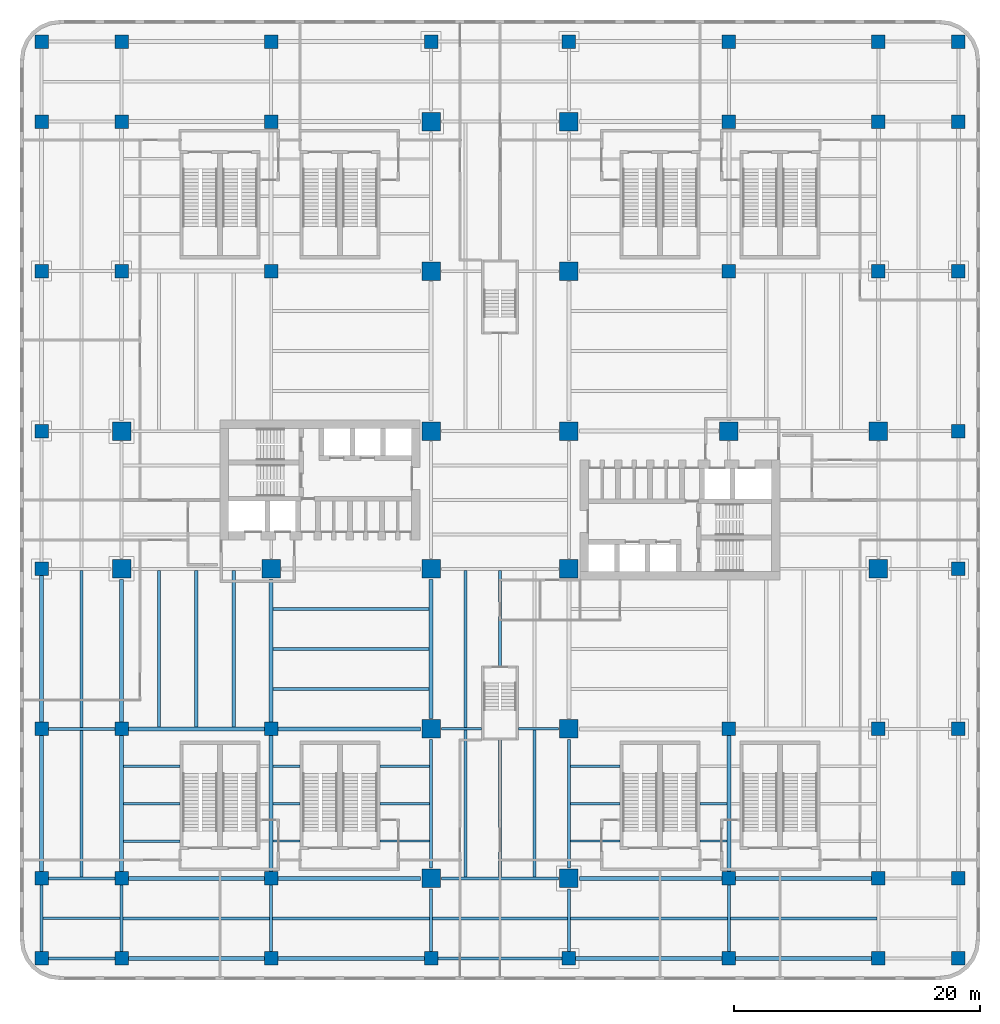
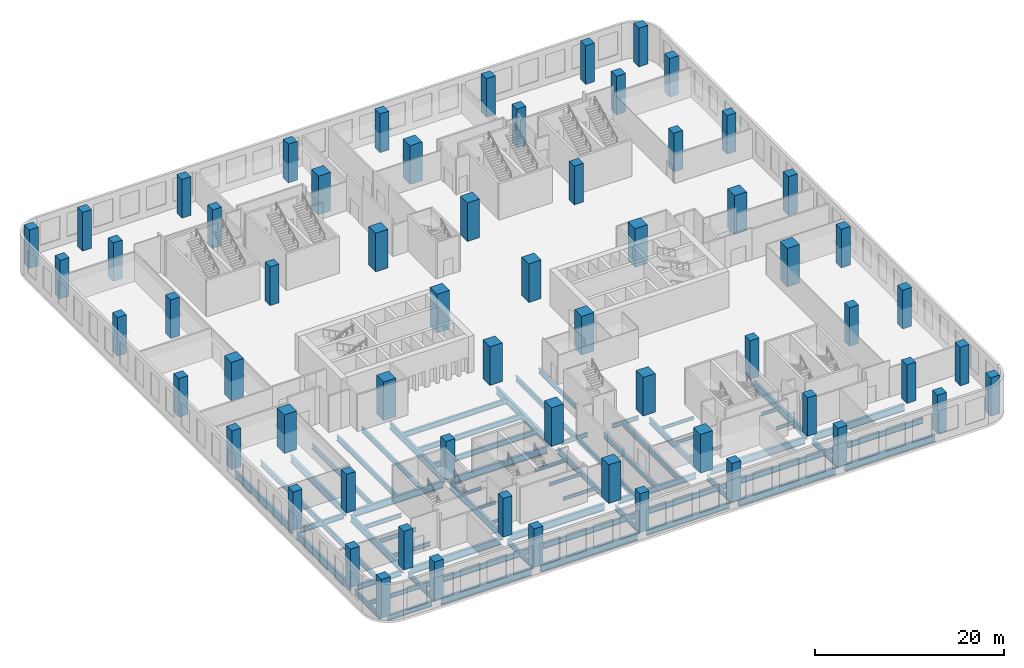
# One storey, part 1 of 17: 66 beams, 62 columns.
"""IFC4 building model written with IfcOpenShell, lengths in metres."""

from ifc_helpers import new_model, si_unit, direction, frame, origin, origin_2d, place, context, subcontext, project, spatial, rectangle, i_section, extrude, source, transform, mapped, material, material_profile, profile_set, type_object, element, save


model = new_model("IFC4")

# Units and contexts
model_context = context("Model", 3, precision=1e-05, world=origin(), true_north=direction((0.0, 1.0)))
body_context = subcontext(model_context, "Body", "Model", "MODEL_VIEW")
ifc_project = project(units=[si_unit("LENGTHUNIT", "METRE"), si_unit("AREAUNIT", "SQUARE_METRE"), si_unit("VOLUMEUNIT", "CUBIC_METRE"), si_unit("PLANEANGLEUNIT", "RADIAN"), si_unit("MASSUNIT", "GRAM", prefix="KILO")], contexts=[model_context])

# Site, building, storey
site_placement = place(None, origin())
site = spatial("IfcSite", under=ifc_project, at=site_placement, CompositionType="ELEMENT")
building_placement = place(site_placement, origin())
building = spatial("IfcBuilding", under=site, at=building_placement, Name="Trellis Farm Tower", CompositionType="ELEMENT")
storey_placement = place(building_placement, frame((0.0, 0.0, 19.0)))
storey = spatial("IfcBuildingStorey", under=building, at=storey_placement, Name="L03", CompositionType="ELEMENT", Elevation=19.0)

# Columns
ifc_material_1 = material(Name="Concrete C60/75", Category="concrete")
ifc_material_profile_1 = material_profile(ifc_material_1, rectangle(XDim=1.10009765625, YDim=1.10009765625, at=origin_2d()), Name="RC column 1100x1100 C60/75")
ifc_profile_set_1 = profile_set([ifc_material_profile_1], Name="Concrete C60/75")
column_type_1 = type_object("IfcColumnType", Name="RC column 1100x1100 C60/75", PredefinedType="COLUMN", material=ifc_profile_set_1)
shared_shape_1 = source(origin(), body_context, "Body", "SweptSolid", [
    extrude(rectangle(XDim=1.10009765625, YDim=1.10009765625, at=origin_2d()), origin(), (0.0, 0.0, 1.0), 5.0),
])
for number, where, z_axis, x_axis, name in (
    (1, (5.60009765625, 37.25, 0.0), (0.0, 0.0, 1.0), (1.0, 0.0, 0.0), "Column"),
    (2, (5.60009765625, -37.25, 0.0), (0.0, 0.0, 1.0), (1.0, 0.0, 0.0), "Column"),
    (3, (18.60009765625, 18.60009765625, 0.0), (0.0, 0.0, 1.0), (1.0, 0.0, 0.0), "Column"),
    (4, (18.60009765625, 30.75, 0.0), (0.0, 0.0, 1.0), (1.0, 0.0, 0.0), "Column"),
    (5, (18.60009765625, 37.25, 0.0), (0.0, 0.0, 1.0), (1.0, 0.0, 0.0), "Column"),
    (6, (18.60009765625, -18.60009765625, 0.0), (0.0, 0.0, 1.0), (1.0, 0.0, 0.0), "Column"),
    (7, (18.60009765625, -30.75, 0.0), (0.0, 0.0, 1.0), (1.0, 0.0, 0.0), "Column"),
    (8, (18.60009765625, -37.25, 0.0), (0.0, 0.0, 1.0), (1.0, 0.0, 0.0), "Column"),
    (9, (30.75, 18.60009765625, 0.0), (0.0, 0.0, 1.0), (1.0, 0.0, 0.0), "Column"),
    (10, (30.75, 30.75, 0.0), (0.0, 0.0, 1.0), (1.0, 0.0, 0.0), "Column"),
    (11, (30.75, 37.25, 0.0), (0.0, 0.0, 1.0), (1.0, 0.0, 0.0), "Column"),
    (12, (30.75, -18.60009765625, 0.0), (0.0, 0.0, 1.0), (1.0, 0.0, 0.0), "Column"),
    (13, (30.75, -30.75, 0.0), (0.0, 0.0, 1.0), (1.0, 0.0, 0.0), "Column"),
    (14, (30.75, -37.25, 0.0), (0.0, 0.0, 1.0), (1.0, 0.0, 0.0), "Column"),
    (15, (37.25, 5.60009765625, 0.0), (0.0, 0.0, 1.0), (1.0, 0.0, 0.0), "Column"),
    (16, (37.25, 18.60009765625, 0.0), (0.0, 0.0, 1.0), (1.0, 0.0, 0.0), "Column"),
    (17, (37.25, 30.75, 0.0), (0.0, 0.0, 1.0), (1.0, 0.0, 0.0), "Column"),
    (18, (37.25, 37.25, 0.0), (0.0, 0.0, 1.0), (1.0, 0.0, 0.0), "Column"),
    (19, (37.25, -5.60009765625, 0.0), (0.0, 0.0, 1.0), (1.0, 0.0, 0.0), "Column"),
    (20, (37.25, -18.60009765625, 0.0), (0.0, 0.0, 1.0), (1.0, 0.0, 0.0), "Column"),
    (21, (37.25, -30.75, 0.0), (0.0, 0.0, 1.0), (1.0, 0.0, 0.0), "Column"),
    (22, (37.25, -37.25, 0.0), (0.0, 0.0, 1.0), (1.0, 0.0, 0.0), "Column"),
    (23, (-5.60009765625, 37.25, 0.0), (0.0, 0.0, 1.0), (1.0, 0.0, 0.0), "Column"),
    (24, (-5.60009765625, -37.25, 0.0), (0.0, 0.0, 1.0), (1.0, 0.0, 0.0), "Column"),
    (25, (-18.60009765625, 18.60009765625, 0.0), (0.0, 0.0, 1.0), (1.0, 0.0, 0.0), "Column"),
    (26, (-18.60009765625, 30.75, 0.0), (0.0, 0.0, 1.0), (1.0, 0.0, 0.0), "Column"),
    (27, (-18.60009765625, 37.25, 0.0), (0.0, 0.0, 1.0), (1.0, 0.0, 0.0), "Column"),
    (28, (-18.60009765625, -18.60009765625, 0.0), (0.0, 0.0, 1.0), (1.0, 0.0, 0.0), "Column"),
    (29, (-18.60009765625, -30.75, 0.0), (0.0, 0.0, 1.0), (1.0, 0.0, 0.0), "Column"),
    (30, (-18.60009765625, -37.25, 0.0), (0.0, 0.0, 1.0), (1.0, 0.0, 0.0), "Column"),
    (31, (-30.75, 18.60009765625, 0.0), (0.0, 0.0, 1.0), (1.0, 0.0, 0.0), "Column"),
    (32, (-30.75, 30.75, 0.0), (0.0, 0.0, 1.0), (1.0, 0.0, 0.0), "Column"),
    (33, (-30.75, 37.25, 0.0), (0.0, 0.0, 1.0), (1.0, 0.0, 0.0), "Column"),
    (34, (-30.75, -18.60009765625, 0.0), (0.0, 0.0, 1.0), (1.0, 0.0, 0.0), "Column"),
    (35, (-30.75, -30.75, 0.0), (0.0, 0.0, 1.0), (1.0, 0.0, 0.0), "Column"),
    (36, (-30.75, -37.25, 0.0), (0.0, 0.0, 1.0), (1.0, 0.0, 0.0), "Column"),
    (37, (-37.25, 5.60009765625, 0.0), (0.0, 0.0, 1.0), (1.0, 0.0, 0.0), "Column"),
    (38, (-37.25, 18.60009765625, 0.0), (0.0, 0.0, 1.0), (1.0, 0.0, 0.0), "Column"),
    (39, (-37.25, 30.75, 0.0), (0.0, 0.0, 1.0), (1.0, 0.0, 0.0), "Column"),
    (40, (-37.25, 37.25, 0.0), (0.0, 0.0, 1.0), (1.0, 0.0, 0.0), "Column"),
    (41, (-37.25, -5.60009765625, 0.0), (0.0, 0.0, 1.0), (1.0, 0.0, 0.0), "Column"),
    (42, (-37.25, -18.60009765625, 0.0), (0.0, 0.0, 1.0), (1.0, 0.0, 0.0), "Column"),
    (43, (-37.25, -30.75, 0.0), (0.0, 0.0, 1.0), (1.0, 0.0, 0.0), "Column"),
    (44, (-37.25, -37.25, 0.0), (0.0, 0.0, 1.0), (1.0, 0.0, 0.0), "Column"),
):
    element("IfcColumn", number, at=place(storey_placement, frame(where, z_axis=z_axis, x_axis=x_axis)), inside=storey, type_object=column_type_1, Name=name, PredefinedType="COLUMN", context=body_context, shape_type="MappedRepresentation", body=[
        mapped(shared_shape_1, transform((0.0, 0.0, 0.0))),
    ])
ifc_material_2 = material(Name="Concrete C80/95", Category="concrete")
ifc_material_profile_2 = material_profile(ifc_material_2, rectangle(XDim=1.5, YDim=1.5, at=origin_2d()), Name="RC column 1500x1500 C80/95")
ifc_profile_set_2 = profile_set([ifc_material_profile_2], Name="Concrete C80/95")
column_type_2 = type_object("IfcColumnType", Name="RC column 1500x1500 C80/95", PredefinedType="COLUMN", material=ifc_profile_set_2)
shared_shape_2 = source(origin(), body_context, "Body", "SweptSolid", [
    extrude(rectangle(XDim=1.5, YDim=1.5, at=origin_2d()), origin(), (0.0, 0.0, 1.0), 5.0),
])
for number, where, z_axis, x_axis, name in (
    (45, (5.60009765625, 5.60009765625, 0.0), (0.0, 0.0, 1.0), (1.0, 0.0, 0.0), "Column"),
    (46, (5.60009765625, 18.60009765625, 0.0), (0.0, 0.0, 1.0), (1.0, 0.0, 0.0), "Column"),
    (47, (5.60009765625, 30.75, 0.0), (0.0, 0.0, 1.0), (1.0, 0.0, 0.0), "Column"),
    (48, (5.60009765625, -5.60009765625, 0.0), (0.0, 0.0, 1.0), (1.0, 0.0, 0.0), "Column"),
    (49, (5.60009765625, -18.60009765625, 0.0), (0.0, 0.0, 1.0), (1.0, 0.0, 0.0), "Column"),
    (50, (5.60009765625, -30.75, 0.0), (0.0, 0.0, 1.0), (1.0, 0.0, 0.0), "Column"),
    (51, (18.60009765625, 5.60009765625, 0.0), (0.0, 0.0, 1.0), (1.0, 0.0, 0.0), "Column"),
    (52, (30.75, 5.60009765625, 0.0), (0.0, 0.0, 1.0), (1.0, 0.0, 0.0), "Column"),
    (53, (30.75, -5.60009765625, 0.0), (0.0, 0.0, 1.0), (1.0, 0.0, 0.0), "Column"),
    (54, (-5.60009765625, 5.60009765625, 0.0), (0.0, 0.0, 1.0), (1.0, 0.0, 0.0), "Column"),
    (55, (-5.60009765625, 18.60009765625, 0.0), (0.0, 0.0, 1.0), (1.0, 0.0, 0.0), "Column"),
    (56, (-5.60009765625, 30.75, 0.0), (0.0, 0.0, 1.0), (1.0, 0.0, 0.0), "Column"),
    (57, (-5.60009765625, -5.60009765625, 0.0), (0.0, 0.0, 1.0), (1.0, 0.0, 0.0), "Column"),
    (58, (-5.60009765625, -18.60009765625, 0.0), (0.0, 0.0, 1.0), (1.0, 0.0, 0.0), "Column"),
    (59, (-5.60009765625, -30.75, 0.0), (0.0, 0.0, 1.0), (1.0, 0.0, 0.0), "Column"),
    (60, (-18.60009765625, -5.60009765625, 0.0), (0.0, 0.0, 1.0), (1.0, 0.0, 0.0), "Column"),
    (61, (-30.75, 5.60009765625, 0.0), (0.0, 0.0, 1.0), (1.0, 0.0, 0.0), "Column"),
    (62, (-30.75, -5.60009765625, 0.0), (0.0, 0.0, 1.0), (1.0, 0.0, 0.0), "Column"),
):
    element("IfcColumn", number, at=place(storey_placement, frame(where, z_axis=z_axis, x_axis=x_axis)), inside=storey, type_object=column_type_2, Name=name, PredefinedType="COLUMN", context=body_context, shape_type="MappedRepresentation", body=[
        mapped(shared_shape_2, transform((0.0, 0.0, 0.0))),
    ])

# Beams
ifc_material_3 = material(Name="Steel S355", Category="steel")
ifc_material_profile_3 = material_profile(ifc_material_3, i_section(OverallWidth=0.2666015625, OverallDepth=0.76220703125, WebThickness=0.014404296875, FlangeThickness=0.021484375, FilletRadius=0.0166015625, at=origin_2d()), Name="UB 762x267x173")
ifc_profile_set_3 = profile_set([ifc_material_profile_3], Name="Steel S355")
beam_type_1 = type_object("IfcBeamType", Name="UB 762x267x173", PredefinedType="BEAM", material=ifc_profile_set_3)
shared_shape_3 = source(origin(), body_context, "Body", "SweptSolid", [
    extrude(i_section(OverallWidth=0.2666015625, OverallDepth=0.76220703125, WebThickness=0.014404296875, FlangeThickness=0.021484375, FilletRadius=0.0166015625, at=origin_2d()), origin(), (0.0, 0.0, 1.0), 9.5),
])
beam_1_placement = place(storey_placement, frame((-4.75, -30.75, -0.68115234375), z_axis=(1.0, 0.0, 0.0), x_axis=(0.0, 1.0, 0.0)))
element("IfcBeam", 63, at=beam_1_placement, inside=storey, type_object=beam_type_1, Name="Girder", PredefinedType="BEAM", context=body_context, shape_type="MappedRepresentation", body=[
    mapped(shared_shape_3, transform((0.0, 0.0, 0.0))),
])
ifc_material_profile_4 = material_profile(ifc_material_3, i_section(OverallWidth=0.305419921875, OverallDepth=0.91845703125, WebThickness=0.017333984375, FlangeThickness=0.02783203125, FilletRadius=0.01904296875, at=origin_2d()), Name="UB 914x305x253")
ifc_profile_set_4 = profile_set([ifc_material_profile_4], Name="Steel S355")
beam_type_2 = type_object("IfcBeamType", Name="UB 914x305x253", PredefinedType="BEAM", material=ifc_profile_set_4)
shared_shape_4 = source(origin(), body_context, "Body", "SweptSolid", [
    extrude(i_section(OverallWidth=0.305419921875, OverallDepth=0.91845703125, WebThickness=0.017333984375, FlangeThickness=0.02783203125, FilletRadius=0.01904296875, at=origin_2d()), origin(), (0.0, 0.0, 1.0), 11.300048828125),
])
beam_2_placement = place(storey_placement, frame((-5.60009765625, -17.75, -0.75927734375), z_axis=(0.0, 1.0, 0.0), x_axis=(-1.0, 0.0, 0.0)))
element("IfcBeam", 64, at=beam_2_placement, inside=storey, type_object=beam_type_2, Name="Girder", PredefinedType="BEAM", context=body_context, shape_type="MappedRepresentation", body=[
    mapped(shared_shape_4, transform((0.0, 0.0, 0.0))),
])
ifc_material_profile_5 = material_profile(ifc_material_3, i_section(OverallWidth=0.253662109375, OverallDepth=0.68359375, WebThickness=0.012451171875, FlangeThickness=0.021728515625, FilletRadius=0.01513671875, at=origin_2d()), Name="UB 686x254x140")
ifc_profile_set_5 = profile_set([ifc_material_profile_5], Name="Steel S355")
beam_type_3 = type_object("IfcBeamType", Name="UB 686x254x140 joist", PredefinedType="JOIST", material=ifc_profile_set_5)
shared_shape_5 = source(origin(), body_context, "Body", "SweptSolid", [
    extrude(i_section(OverallWidth=0.253662109375, OverallDepth=0.68359375, WebThickness=0.012451171875, FlangeThickness=0.021728515625, FilletRadius=0.01513671875, at=origin_2d()), origin(), (0.0, 0.0, 1.0), 12.746337890625),
])
for number, where, z_axis, x_axis, name in (
    (65, (-18.47314453125, -34.0, -0.641845703125), (1.0, 0.0, 0.0), (0.0, 1.0, 0.0), "Floor beam"),
    (66, (5.726806640625, -34.0, -0.641845703125), (1.0, 0.0, 0.0), (0.0, 1.0, 0.0), "Floor beam"),
    (67, (-34.0, -18.47314453125, -0.641845703125), (0.0, 1.0, 0.0), (-1.0, 0.0, 0.0), "Floor beam"),
):
    element("IfcBeam", number, at=place(storey_placement, frame(where, z_axis=z_axis, x_axis=x_axis)), inside=storey, type_object=beam_type_3, Name=name, PredefinedType="JOIST", context=body_context, shape_type="MappedRepresentation", body=[
        mapped(shared_shape_5, transform((0.0, 0.0, 0.0))),
    ])
shared_shape_6 = source(origin(), body_context, "Body", "SweptSolid", [
    extrude(i_section(OverallWidth=0.253662109375, OverallDepth=0.68359375, WebThickness=0.012451171875, FlangeThickness=0.021728515625, FilletRadius=0.01513671875, at=origin_2d()), origin(), (0.0, 0.0, 1.0), 11.896240234375),
])
for number, where, z_axis, x_axis, name in (
    (68, (-30.623046875, -34.0, -0.641845703125), (1.0, 0.0, 0.0), (0.0, 1.0, 0.0), "Floor beam"),
    (69, (18.726806640625, -34.0, -0.641845703125), (1.0, 0.0, 0.0), (0.0, 1.0, 0.0), "Floor beam"),
    (70, (-34.0, -30.623046875, -0.641845703125), (0.0, 1.0, 0.0), (-1.0, 0.0, 0.0), "Floor beam"),
):
    element("IfcBeam", number, at=place(storey_placement, frame(where, z_axis=z_axis, x_axis=x_axis)), inside=storey, type_object=beam_type_3, Name=name, PredefinedType="JOIST", context=body_context, shape_type="MappedRepresentation", body=[
        mapped(shared_shape_6, transform((0.0, 0.0, 0.0))),
    ])
ifc_material_profile_6 = material_profile(ifc_material_3, i_section(OverallWidth=0.209228515625, OverallDepth=0.533203125, WebThickness=0.010009765625, FlangeThickness=0.015625, FilletRadius=0.0126953125, at=origin_2d()), Name="UB 533x210x92")
ifc_profile_set_6 = profile_set([ifc_material_profile_6], Name="Steel S355")
beam_type_4 = type_object("IfcBeamType", Name="UB 533x210x92 joist", PredefinedType="JOIST", material=ifc_profile_set_6)
shared_shape_7 = source(origin(), body_context, "Body", "SweptSolid", [
    extrude(i_section(OverallWidth=0.209228515625, OverallDepth=0.533203125, WebThickness=0.010009765625, FlangeThickness=0.015625, FilletRadius=0.0126953125, at=origin_2d()), origin(), (0.0, 0.0, 1.0), 6.246337890625),
])
beam_3_placement = place(storey_placement, frame((-37.123291015625, -34.0, -0.56640625), z_axis=(1.0, 0.0, 0.0), x_axis=(0.0, 1.0, 0.0)))
element("IfcBeam", 71, at=beam_3_placement, inside=storey, type_object=beam_type_4, Name="Floor beam", PredefinedType="JOIST", context=body_context, shape_type="MappedRepresentation", body=[
    mapped(shared_shape_7, transform((0.0, 0.0, 0.0))),
])
shared_shape_8 = source(origin(), body_context, "Body", "SweptSolid", [
    extrude(i_section(OverallWidth=0.253662109375, OverallDepth=0.68359375, WebThickness=0.012451171875, FlangeThickness=0.021728515625, FilletRadius=0.01513671875, at=origin_2d()), origin(), (0.0, 0.0, 1.0), 10.9462890625),
])
beam_4_placement = place(storey_placement, frame((-5.47314453125, -34.0, -0.641845703125), z_axis=(1.0, 0.0, 0.0), x_axis=(0.0, 1.0, 0.0)))
element("IfcBeam", 72, at=beam_4_placement, inside=storey, type_object=beam_type_3, Name="Floor beam", PredefinedType="JOIST", context=body_context, shape_type="MappedRepresentation", body=[
    mapped(shared_shape_8, transform((0.0, 0.0, 0.0))),
])
shared_shape_9 = source(origin(), body_context, "Body", "SweptSolid", [
    extrude(i_section(OverallWidth=0.253662109375, OverallDepth=0.68359375, WebThickness=0.012451171875, FlangeThickness=0.021728515625, FilletRadius=0.01513671875, at=origin_2d()), origin(), (0.0, 0.0, 1.0), 12.694580078125),
])
for number, where, z_axis, x_axis, name in (
    (73, (-18.447265625, -15.35009765625, -0.641845703125), (1.0, 0.0, 0.0), (0.0, 1.0, 0.0), "Floor beam"),
    (74, (-18.447265625, -12.10009765625, -0.641845703125), (1.0, 0.0, 0.0), (0.0, 1.0, 0.0), "Floor beam"),
    (75, (-18.447265625, -8.85009765625, -0.641845703125), (1.0, 0.0, 0.0), (0.0, 1.0, 0.0), "Floor beam"),
):
    element("IfcBeam", number, at=place(storey_placement, frame(where, z_axis=z_axis, x_axis=x_axis)), inside=storey, type_object=beam_type_3, Name=name, PredefinedType="JOIST", context=body_context, shape_type="MappedRepresentation", body=[
        mapped(shared_shape_9, transform((0.0, 0.0, 0.0))),
    ])
ifc_material_profile_7 = material_profile(ifc_material_3, i_section(OverallWidth=0.2275390625, OverallDepth=0.6025390625, WebThickness=0.010498046875, FlangeThickness=0.014892578125, FilletRadius=0.0126953125, at=origin_2d()), Name="UB 610x229x101")
ifc_profile_set_7 = profile_set([ifc_material_profile_7], Name="Steel S355")
beam_type_5 = type_object("IfcBeamType", Name="UB 610x229x101 joist", PredefinedType="JOIST", material=ifc_profile_set_7)
shared_shape_10 = source(origin(), body_context, "Body", "SweptSolid", [
    extrude(i_section(OverallWidth=0.2275390625, OverallDepth=0.6025390625, WebThickness=0.010498046875, FlangeThickness=0.014892578125, FilletRadius=0.0126953125, at=origin_2d()), origin(), (0.0, 0.0, 1.0), 7.7666015625),
])
beam_5_placement = place(storey_placement, frame((0.0, -13.5, -0.601318359375), z_axis=(0.0, 1.0, 0.0), x_axis=(-1.0, 0.0, 0.0)))
element("IfcBeam", 76, at=beam_5_placement, inside=storey, type_object=beam_type_5, Name="Floor beam", PredefinedType="JOIST", context=body_context, shape_type="MappedRepresentation", body=[
    mapped(shared_shape_10, transform((0.0, 0.0, 0.0))),
])
shared_shape_11 = source(origin(), body_context, "Body", "SweptSolid", [
    extrude(i_section(OverallWidth=0.253662109375, OverallDepth=0.68359375, WebThickness=0.012451171875, FlangeThickness=0.021728515625, FilletRadius=0.01513671875, at=origin_2d()), origin(), (0.0, 0.0, 1.0), 11.11669921875),
])
beam_6_placement = place(storey_placement, frame((0.0, -30.61669921875, -0.641845703125), z_axis=(0.0, 1.0, 0.0), x_axis=(-1.0, 0.0, 0.0)))
element("IfcBeam", 77, at=beam_6_placement, inside=storey, type_object=beam_type_3, Name="Floor beam", PredefinedType="JOIST", context=body_context, shape_type="MappedRepresentation", body=[
    mapped(shared_shape_11, transform((0.0, 0.0, 0.0))),
])
shared_shape_12 = source(origin(), body_context, "Body", "SweptSolid", [
    extrude(i_section(OverallWidth=0.305419921875, OverallDepth=0.91845703125, WebThickness=0.017333984375, FlangeThickness=0.02783203125, FilletRadius=0.01904296875, at=origin_2d()), origin(), (0.0, 0.0, 1.0), 11.900146484375),
])
for number, where, z_axis, x_axis, name in (
    (78, (-18.050048828125, -37.25, -0.75927734375), (1.0, 0.0, 0.0), (0.0, 1.0, 0.0), "Girder"),
    (79, (6.14990234375, -37.25, -0.75927734375), (1.0, 0.0, 0.0), (0.0, 1.0, 0.0), "Girder"),
    (80, (-37.25, -18.050048828125, -0.75927734375), (0.0, 1.0, 0.0), (-1.0, 0.0, 0.0), "Girder"),
):
    element("IfcBeam", number, at=place(storey_placement, frame(where, z_axis=z_axis, x_axis=x_axis)), inside=storey, type_object=beam_type_2, Name=name, PredefinedType="BEAM", context=body_context, shape_type="MappedRepresentation", body=[
        mapped(shared_shape_12, transform((0.0, 0.0, 0.0))),
    ])
shared_shape_13 = source(origin(), body_context, "Body", "SweptSolid", [
    extrude(i_section(OverallWidth=0.305419921875, OverallDepth=0.91845703125, WebThickness=0.017333984375, FlangeThickness=0.02783203125, FilletRadius=0.01904296875, at=origin_2d()), origin(), (0.0, 0.0, 1.0), 11.050048828125),
])
for number, where, z_axis, x_axis, name in (
    (81, (-30.199951171875, -37.25, -0.75927734375), (1.0, 0.0, 0.0), (0.0, 1.0, 0.0), "Girder"),
    (82, (19.14990234375, -37.25, -0.75927734375), (1.0, 0.0, 0.0), (0.0, 1.0, 0.0), "Girder"),
    (83, (-30.199951171875, -30.75, -0.75927734375), (1.0, 0.0, 0.0), (0.0, 1.0, 0.0), "Girder"),
    (84, (19.14990234375, -30.75, -0.75927734375), (1.0, 0.0, 0.0), (0.0, 1.0, 0.0), "Girder"),
    (85, (-30.199951171875, -18.60009765625, -0.75927734375), (1.0, 0.0, 0.0), (0.0, 1.0, 0.0), "Girder"),
    (86, (-37.25, -30.199951171875, -0.75927734375), (0.0, 1.0, 0.0), (-1.0, 0.0, 0.0), "Girder"),
    (87, (-30.75, -30.199951171875, -0.75927734375), (0.0, 1.0, 0.0), (-1.0, 0.0, 0.0), "Girder"),
    (88, (-18.60009765625, -30.199951171875, -0.75927734375), (0.0, 1.0, 0.0), (-1.0, 0.0, 0.0), "Girder"),
    (89, (18.60009765625, -30.199951171875, -0.75927734375), (0.0, 1.0, 0.0), (-1.0, 0.0, 0.0), "Girder"),
):
    element("IfcBeam", number, at=place(storey_placement, frame(where, z_axis=z_axis, x_axis=x_axis)), inside=storey, type_object=beam_type_2, Name=name, PredefinedType="BEAM", context=body_context, shape_type="MappedRepresentation", body=[
        mapped(shared_shape_13, transform((0.0, 0.0, 0.0))),
    ])
ifc_material_profile_8 = material_profile(ifc_material_3, i_section(OverallWidth=0.253662109375, OverallDepth=0.68359375, WebThickness=0.012451171875, FlangeThickness=0.021728515625, FilletRadius=0.01513671875, at=origin_2d()), Name="UB 686x254x140")
ifc_profile_set_8 = profile_set([ifc_material_profile_8], Name="Steel S355")
beam_type_6 = type_object("IfcBeamType", Name="UB 686x254x140", PredefinedType="BEAM", material=ifc_profile_set_8)
shared_shape_14 = source(origin(), body_context, "Body", "SweptSolid", [
    extrude(i_section(OverallWidth=0.253662109375, OverallDepth=0.68359375, WebThickness=0.012451171875, FlangeThickness=0.021728515625, FilletRadius=0.01513671875, at=origin_2d()), origin(), (0.0, 0.0, 1.0), 5.39990234375),
])
for number, where, z_axis, x_axis, name in (
    (90, (-36.699951171875, -37.25, -0.641845703125), (1.0, 0.0, 0.0), (0.0, 1.0, 0.0), "Girder"),
    (91, (-36.699951171875, -30.75, -0.641845703125), (1.0, 0.0, 0.0), (0.0, 1.0, 0.0), "Girder"),
    (92, (-36.699951171875, -18.60009765625, -0.641845703125), (1.0, 0.0, 0.0), (0.0, 1.0, 0.0), "Girder"),
    (93, (-37.25, -36.699951171875, -0.641845703125), (0.0, 1.0, 0.0), (-1.0, 0.0, 0.0), "Girder"),
    (94, (-30.75, -36.699951171875, -0.641845703125), (0.0, 1.0, 0.0), (-1.0, 0.0, 0.0), "Girder"),
    (95, (-18.60009765625, -36.699951171875, -0.641845703125), (0.0, 1.0, 0.0), (-1.0, 0.0, 0.0), "Girder"),
    (96, (18.60009765625, -36.699951171875, -0.641845703125), (0.0, 1.0, 0.0), (-1.0, 0.0, 0.0), "Girder"),
):
    element("IfcBeam", number, at=place(storey_placement, frame(where, z_axis=z_axis, x_axis=x_axis)), inside=storey, type_object=beam_type_6, Name=name, PredefinedType="BEAM", context=body_context, shape_type="MappedRepresentation", body=[
        mapped(shared_shape_14, transform((0.0, 0.0, 0.0))),
    ])
shared_shape_15 = source(origin(), body_context, "Body", "SweptSolid", [
    extrude(i_section(OverallWidth=0.305419921875, OverallDepth=0.91845703125, WebThickness=0.017333984375, FlangeThickness=0.02783203125, FilletRadius=0.01904296875, at=origin_2d()), origin(), (0.0, 0.0, 1.0), 11.60009765625),
])
for number, where, z_axis, x_axis, name in (
    (97, (-18.050048828125, -30.75, -0.75927734375), (1.0, 0.0, 0.0), (0.0, 1.0, 0.0), "Girder"),
    (98, (6.449951171875, -30.75, -0.75927734375), (1.0, 0.0, 0.0), (0.0, 1.0, 0.0), "Girder"),
    (99, (-18.050048828125, -18.60009765625, -0.75927734375), (1.0, 0.0, 0.0), (0.0, 1.0, 0.0), "Girder"),
    (100, (-30.75, -18.050048828125, -0.75927734375), (0.0, 1.0, 0.0), (-1.0, 0.0, 0.0), "Girder"),
    (101, (-18.60009765625, -18.050048828125, -0.75927734375), (0.0, 1.0, 0.0), (-1.0, 0.0, 0.0), "Girder"),
):
    element("IfcBeam", number, at=place(storey_placement, frame(where, z_axis=z_axis, x_axis=x_axis)), inside=storey, type_object=beam_type_2, Name=name, PredefinedType="BEAM", context=body_context, shape_type="MappedRepresentation", body=[
        mapped(shared_shape_15, transform((0.0, 0.0, 0.0))),
    ])
ifc_material_profile_9 = material_profile(ifc_material_3, i_section(OverallWidth=0.209228515625, OverallDepth=0.533203125, WebThickness=0.010009765625, FlangeThickness=0.015625, FilletRadius=0.0126953125, at=origin_2d()), Name="UB 533x210x92")
ifc_profile_set_9 = profile_set([ifc_material_profile_9], Name="Steel S355")
beam_type_7 = type_object("IfcBeamType", Name="UB 533x210x92", PredefinedType="BEAM", material=ifc_profile_set_9)
shared_shape_16 = source(origin(), body_context, "Body", "SweptSolid", [
    extrude(i_section(OverallWidth=0.209228515625, OverallDepth=0.533203125, WebThickness=0.010009765625, FlangeThickness=0.015625, FilletRadius=0.0126953125, at=origin_2d()), origin(), (0.0, 0.0, 1.0), 3.25),
])
for number, where, z_axis, x_axis, name in (
    (102, (-4.75, -18.60009765625, -0.56640625), (1.0, 0.0, 0.0), (0.0, 1.0, 0.0), "Girder"),
    (103, (1.5, -18.60009765625, -0.56640625), (1.0, 0.0, 0.0), (0.0, 1.0, 0.0), "Girder"),
):
    element("IfcBeam", number, at=place(storey_placement, frame(where, z_axis=z_axis, x_axis=x_axis)), inside=storey, type_object=beam_type_7, Name=name, PredefinedType="BEAM", context=body_context, shape_type="MappedRepresentation", body=[
        mapped(shared_shape_16, transform((0.0, 0.0, 0.0))),
    ])
shared_shape_17 = source(origin(), body_context, "Body", "SweptSolid", [
    extrude(i_section(OverallWidth=0.253662109375, OverallDepth=0.68359375, WebThickness=0.012451171875, FlangeThickness=0.021728515625, FilletRadius=0.01513671875, at=origin_2d()), origin(), (0.0, 0.0, 1.0), 5.099853515625),
])
for number, where, z_axis, x_axis, name in (
    (104, (-5.60009765625, -36.699951171875, -0.641845703125), (0.0, 1.0, 0.0), (-1.0, 0.0, 0.0), "Girder"),
    (105, (5.60009765625, -36.699951171875, -0.641845703125), (0.0, 1.0, 0.0), (-1.0, 0.0, 0.0), "Girder"),
):
    element("IfcBeam", number, at=place(storey_placement, frame(where, z_axis=z_axis, x_axis=x_axis)), inside=storey, type_object=beam_type_6, Name=name, PredefinedType="BEAM", context=body_context, shape_type="MappedRepresentation", body=[
        mapped(shared_shape_17, transform((0.0, 0.0, 0.0))),
    ])
shared_shape_18 = source(origin(), body_context, "Body", "SweptSolid", [
    extrude(i_section(OverallWidth=0.2666015625, OverallDepth=0.76220703125, WebThickness=0.014404296875, FlangeThickness=0.021484375, FilletRadius=0.0166015625, at=origin_2d()), origin(), (0.0, 0.0, 1.0), 10.449951171875),
])
for number, where, z_axis, x_axis, name in (
    (106, (-5.60009765625, -29.89990234375, -0.68115234375), (0.0, 1.0, 0.0), (-1.0, 0.0, 0.0), "Girder"),
    (107, (5.60009765625, -29.89990234375, -0.68115234375), (0.0, 1.0, 0.0), (-1.0, 0.0, 0.0), "Girder"),
):
    element("IfcBeam", number, at=place(storey_placement, frame(where, z_axis=z_axis, x_axis=x_axis)), inside=storey, type_object=beam_type_1, Name=name, PredefinedType="BEAM", context=body_context, shape_type="MappedRepresentation", body=[
        mapped(shared_shape_18, transform((0.0, 0.0, 0.0))),
    ])
shared_shape_19 = source(origin(), body_context, "Body", "SweptSolid", [
    extrude(i_section(OverallWidth=0.2666015625, OverallDepth=0.76220703125, WebThickness=0.014404296875, FlangeThickness=0.021484375, FilletRadius=0.0166015625, at=origin_2d()), origin(), (0.0, 0.0, 1.0), 10.10009765625),
])
beam_7_placement = place(storey_placement, frame((-5.050048828125, -37.25, -0.68115234375), z_axis=(1.0, 0.0, 0.0), x_axis=(0.0, 1.0, 0.0)))
element("IfcBeam", 108, at=beam_7_placement, inside=storey, type_object=beam_type_1, Name="Girder", PredefinedType="BEAM", context=body_context, shape_type="MappedRepresentation", body=[
    mapped(shared_shape_19, transform((0.0, 0.0, 0.0))),
])
ifc_material_profile_10 = material_profile(ifc_material_3, i_section(OverallWidth=0.177978515625, OverallDepth=0.406494140625, WebThickness=0.0078125, FlangeThickness=0.0126953125, FilletRadius=0.01025390625, at=origin_2d()), Name="UB 406x178x60")
ifc_profile_set_10 = profile_set([ifc_material_profile_10], Name="Steel S355")
beam_type_8 = type_object("IfcBeamType", Name="UB 406x178x60 joist", PredefinedType="JOIST", material=ifc_profile_set_10)
shared_shape_20 = source(origin(), body_context, "Body", "SweptSolid", [
    extrude(i_section(OverallWidth=0.177978515625, OverallDepth=0.406494140625, WebThickness=0.0078125, FlangeThickness=0.0126953125, FilletRadius=0.01025390625, at=origin_2d()), origin(), (0.0, 0.0, 1.0), 4.0166015625),
])
for number, where, z_axis, x_axis, name in (
    (109, (-9.75, -27.71240234375, -0.503173828125), (1.0, 0.0, 0.0), (0.0, 1.0, 0.0), "Floor beam"),
    (110, (5.7333984375, -27.71240234375, -0.503173828125), (1.0, 0.0, 0.0), (0.0, 1.0, 0.0), "Floor beam"),
    (111, (-9.75, -24.675048828125, -0.503173828125), (1.0, 0.0, 0.0), (0.0, 1.0, 0.0), "Floor beam"),
    (112, (5.7333984375, -24.675048828125, -0.503173828125), (1.0, 0.0, 0.0), (0.0, 1.0, 0.0), "Floor beam"),
    (113, (-9.75, -21.637451171875, -0.503173828125), (1.0, 0.0, 0.0), (0.0, 1.0, 0.0), "Floor beam"),
    (114, (5.7333984375, -21.637451171875, -0.503173828125), (1.0, 0.0, 0.0), (0.0, 1.0, 0.0), "Floor beam"),
):
    element("IfcBeam", number, at=place(storey_placement, frame(where, z_axis=z_axis, x_axis=x_axis)), inside=storey, type_object=beam_type_8, Name=name, PredefinedType="JOIST", context=body_context, shape_type="MappedRepresentation", body=[
        mapped(shared_shape_20, transform((0.0, 0.0, 0.0))),
    ])
shared_shape_21 = source(origin(), body_context, "Body", "SweptSolid", [
    extrude(i_section(OverallWidth=0.177978515625, OverallDepth=0.406494140625, WebThickness=0.0078125, FlangeThickness=0.0126953125, FilletRadius=0.01025390625, at=origin_2d()), origin(), (0.0, 0.0, 1.0), 2.197265625),
])
for number, where, z_axis, x_axis, name in (
    (115, (-18.447265625, -27.71240234375, -0.503173828125), (1.0, 0.0, 0.0), (0.0, 1.0, 0.0), "Floor beam"),
    (116, (16.25, -27.71240234375, -0.503173828125), (1.0, 0.0, 0.0), (0.0, 1.0, 0.0), "Floor beam"),
    (117, (-18.447265625, -24.675048828125, -0.503173828125), (1.0, 0.0, 0.0), (0.0, 1.0, 0.0), "Floor beam"),
    (118, (16.25, -24.675048828125, -0.503173828125), (1.0, 0.0, 0.0), (0.0, 1.0, 0.0), "Floor beam"),
    (119, (-18.447265625, -21.637451171875, -0.503173828125), (1.0, 0.0, 0.0), (0.0, 1.0, 0.0), "Floor beam"),
):
    element("IfcBeam", number, at=place(storey_placement, frame(where, z_axis=z_axis, x_axis=x_axis)), inside=storey, type_object=beam_type_8, Name=name, PredefinedType="JOIST", context=body_context, shape_type="MappedRepresentation", body=[
        mapped(shared_shape_21, transform((0.0, 0.0, 0.0))),
    ])
shared_shape_22 = source(origin(), body_context, "Body", "SweptSolid", [
    extrude(i_section(OverallWidth=0.209228515625, OverallDepth=0.533203125, WebThickness=0.010009765625, FlangeThickness=0.015625, FilletRadius=0.0126953125, at=origin_2d()), origin(), (0.0, 0.0, 1.0), 4.59716796875),
])
for number, where, z_axis, x_axis, name in (
    (120, (-30.59716796875, -27.71240234375, -0.56640625), (1.0, 0.0, 0.0), (0.0, 1.0, 0.0), "Floor beam"),
    (121, (-30.59716796875, -24.675048828125, -0.56640625), (1.0, 0.0, 0.0), (0.0, 1.0, 0.0), "Floor beam"),
    (122, (-30.59716796875, -21.637451171875, -0.56640625), (1.0, 0.0, 0.0), (0.0, 1.0, 0.0), "Floor beam"),
):
    element("IfcBeam", number, at=place(storey_placement, frame(where, z_axis=z_axis, x_axis=x_axis)), inside=storey, type_object=beam_type_4, Name=name, PredefinedType="JOIST", context=body_context, shape_type="MappedRepresentation", body=[
        mapped(shared_shape_22, transform((0.0, 0.0, 0.0))),
    ])
shared_shape_23 = source(origin(), body_context, "Body", "SweptSolid", [
    extrude(i_section(OverallWidth=0.253662109375, OverallDepth=0.68359375, WebThickness=0.012451171875, FlangeThickness=0.021728515625, FilletRadius=0.01513671875, at=origin_2d()), origin(), (0.0, 0.0, 1.0), 12.7138671875),
])
for number, where, z_axis, x_axis, name in (
    (123, (-27.71240234375, -18.447265625, -0.641845703125), (0.0, 1.0, 0.0), (-1.0, 0.0, 0.0), "Floor beam"),
    (124, (-24.675048828125, -18.447265625, -0.641845703125), (0.0, 1.0, 0.0), (-1.0, 0.0, 0.0), "Floor beam"),
    (125, (-21.637451171875, -18.447265625, -0.641845703125), (0.0, 1.0, 0.0), (-1.0, 0.0, 0.0), "Floor beam"),
):
    element("IfcBeam", number, at=place(storey_placement, frame(where, z_axis=z_axis, x_axis=x_axis)), inside=storey, type_object=beam_type_3, Name=name, PredefinedType="JOIST", context=body_context, shape_type="MappedRepresentation", body=[
        mapped(shared_shape_23, transform((0.0, 0.0, 0.0))),
    ])
shared_shape_24 = source(origin(), body_context, "Body", "SweptSolid", [
    extrude(i_section(OverallWidth=0.253662109375, OverallDepth=0.68359375, WebThickness=0.012451171875, FlangeThickness=0.021728515625, FilletRadius=0.01513671875, at=origin_2d()), origin(), (0.0, 0.0, 1.0), 12.761962890625),
])
beam_8_placement = place(storey_placement, frame((-2.800048828125, -18.495361328125, -0.641845703125), z_axis=(0.0, 1.0, 0.0), x_axis=(-1.0, 0.0, 0.0)))
element("IfcBeam", 126, at=beam_8_placement, inside=storey, type_object=beam_type_3, Name="Floor beam", PredefinedType="JOIST", context=body_context, shape_type="MappedRepresentation", body=[
    mapped(shared_shape_24, transform((0.0, 0.0, 0.0))),
])
shared_shape_25 = source(origin(), body_context, "Body", "SweptSolid", [
    extrude(i_section(OverallWidth=0.253662109375, OverallDepth=0.68359375, WebThickness=0.012451171875, FlangeThickness=0.021728515625, FilletRadius=0.01513671875, at=origin_2d()), origin(), (0.0, 0.0, 1.0), 11.912109375),
])
for number, where, z_axis, x_axis, name in (
    (127, (-2.800048828125, -30.61669921875, -0.641845703125), (0.0, 1.0, 0.0), (-1.0, 0.0, 0.0), "Floor beam"),
    (128, (2.800048828125, -30.61669921875, -0.641845703125), (0.0, 1.0, 0.0), (-1.0, 0.0, 0.0), "Floor beam"),
):
    element("IfcBeam", number, at=place(storey_placement, frame(where, z_axis=z_axis, x_axis=x_axis)), inside=storey, type_object=beam_type_3, Name=name, PredefinedType="JOIST", context=body_context, shape_type="MappedRepresentation", body=[
        mapped(shared_shape_25, transform((0.0, 0.0, 0.0))),
    ])

save(model, "model.ifc")
